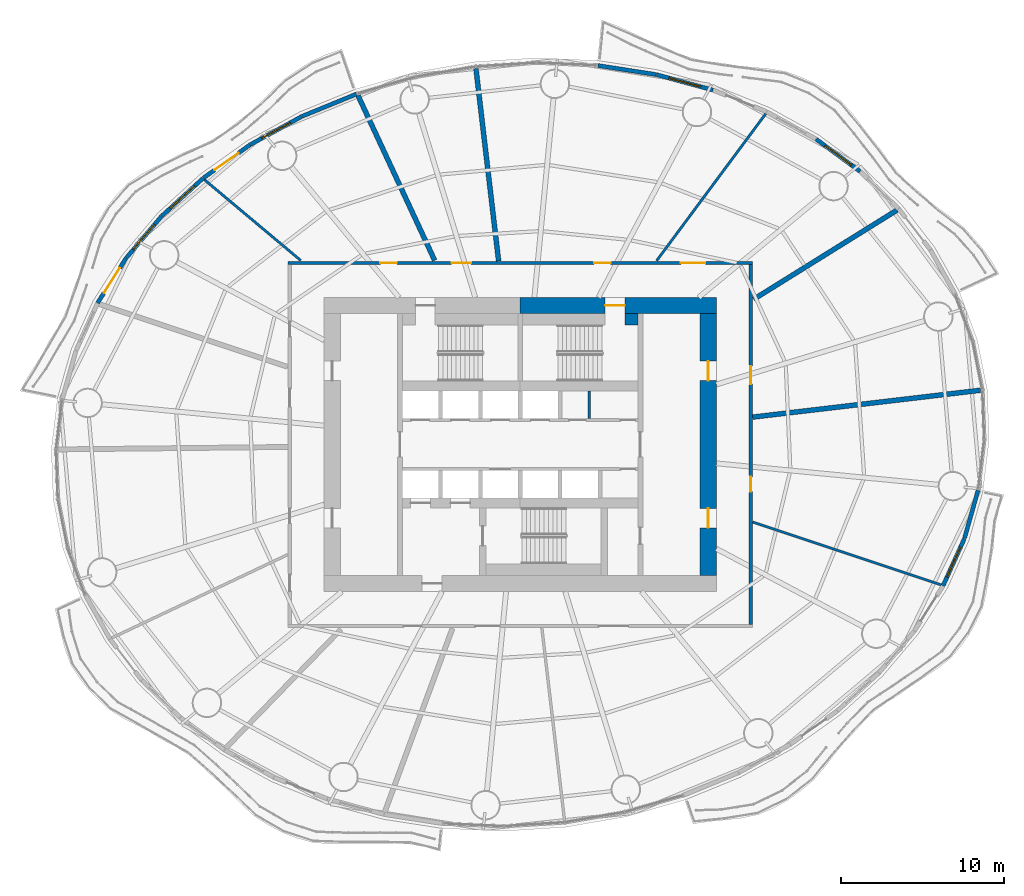
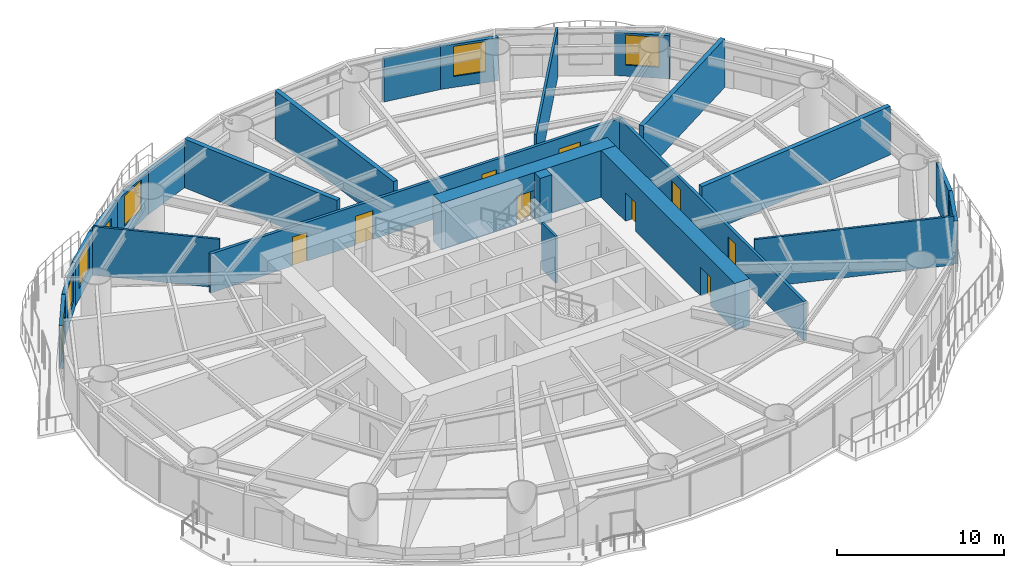
# One storey, part 10 of 16: 24 walls, 11 doors, 6 windows, 17 openings.
"""IFC4 building model written with IfcOpenShell, lengths in metres."""

from ifc_helpers import new_model, si_unit, direction, frame, frame_2d, origin, place, context, subcontext, project, spatial, rectangle, extrude, material, layer, layer_set, type_object, element, fill, save


model = new_model("IFC4")

# Units and contexts
model_context = context("Model", 3, precision=1e-05, world=origin(), true_north=direction((0.0, 1.0)))
body_context = subcontext(model_context, "Body", "Model", "MODEL_VIEW")
ifc_project = project(units=[si_unit("LENGTHUNIT", "METRE"), si_unit("AREAUNIT", "SQUARE_METRE"), si_unit("VOLUMEUNIT", "CUBIC_METRE"), si_unit("PLANEANGLEUNIT", "RADIAN"), si_unit("MASSUNIT", "GRAM", prefix="KILO")], contexts=[model_context])

# Site, building, storey
site_placement = place(None, origin())
site = spatial("IfcSite", under=ifc_project, at=site_placement, CompositionType="ELEMENT")
building_placement = place(site_placement, origin())
building = spatial("IfcBuilding", under=site, at=building_placement, Name="Vermilion Reach Broadcast Tower", CompositionType="ELEMENT")
storey_placement = place(building_placement, frame((0.0, 0.0, 61.89990234375)))
storey = spatial("IfcBuildingStorey", under=building, at=storey_placement, Name="L12", CompositionType="ELEMENT", Elevation=61.89990234375)

# Wall, opening, door
ifc_material_1 = material(Name="Concrete C70", Category="concrete")
ifc_layer_1 = layer(ifc_material_1, 1.0)
ifc_layer_set_1 = layer_set([ifc_layer_1], Name="Core outer wall 1000 mm Concrete C70")
wall_type_1 = type_object("IfcWallType", Name="Core outer wall 1000 mm Concrete C70", PredefinedType="SHEAR", material=ifc_layer_set_1)
wall_1_placement = place(storey_placement, frame((6.0, 8.5, 0.0), z_axis=(0.0, 0.0, 1.0), x_axis=(-1.0, 0.0, 0.0)))
wall_1 = element("IfcWall", 1, at=wall_1_placement, inside=storey, type_object=wall_type_1, Name="L12 core wall onE", PredefinedType="SHEAR", context=body_context, shape_type="SweptSolid", body=[
    extrude(rectangle(XDim=12.0, YDim=1.0, at=frame_2d((6.0, 0.0))), origin(), (0.0, 0.0, 1.0), 3.400146484375),
])
opening_1_placement = place(wall_1_placement, frame((5.60009765625, 0.0, 0.0)))
opening_1 = element("IfcOpeningElement", 2, at=opening_1_placement, cuts=wall_1, Name="Opening D01", PredefinedType="OPENING", context=body_context, shape_type="SweptSolid", body=[
    extrude(rectangle(XDim=1.199951171875, YDim=2.10009765625, at=frame_2d((0.60009765625, 1.050048828125))), frame((0.0, 0.510009765625, 0.0), z_axis=(0.0, -1.0, 0.0), x_axis=(1.0, 0.0, 0.0)), (0.0, 0.0, 1.0), 1.02001953125),
])
ifc_material_2 = material(Name="Painted steel fire door", Category="steel")
door_type_1 = type_object("IfcDoorType", Name="Stair door 1200 x 2100", OperationType="DOUBLE_DOOR_SINGLE_SWING", PredefinedType="NOTDEFINED", material=ifc_material_2)
door_1_placement = place(opening_1_placement, origin())
door_1 = element("IfcDoor", 3, at=door_1_placement, inside=storey, type_object=door_type_1, Name="L12 stair door ST2", OperationType="DOUBLE_DOOR_SINGLE_SWING", OverallHeight=2.10009765625, OverallWidth=1.199951171875, PredefinedType="NOTDEFINED", context=body_context, shape_type="SweptSolid", body=[
    extrude(rectangle(XDim=1.199951171875, YDim=2.10009765625, at=frame_2d((0.60009765625, 1.050048828125))), frame((0.0, 0.02490234375, 0.0), z_axis=(0.0, -1.0, 0.0), x_axis=(1.0, 0.0, 0.0)), (0.0, 0.0, 1.0), 0.050048828125),
])
fill(opening_1, door_1)

# Wall, openings, doors
wall_2_placement = place(storey_placement, frame((5.5, -8.0, 0.0), z_axis=(0.0, 0.0, 1.0), x_axis=(0.0, 1.0, 0.0)))
wall_2 = element("IfcWall", 4, at=wall_2_placement, inside=storey, type_object=wall_type_1, Name="L12 core wall oe", PredefinedType="SHEAR", context=body_context, shape_type="SweptSolid", body=[
    extrude(rectangle(XDim=16.0, YDim=1.0, at=frame_2d((8.0, 0.0))), origin(), (0.0, 0.0, 1.0), 3.400146484375),
])
opening_2_placement = place(wall_2_placement, frame((2.89990234375, 0.0, 0.0)))
opening_2 = element("IfcOpeningElement", 5, at=opening_2_placement, cuts=wall_2, Name="Opening D03", PredefinedType="OPENING", context=body_context, shape_type="SweptSolid", body=[
    extrude(rectangle(XDim=1.199951171875, YDim=2.10009765625, at=frame_2d((0.60009765625, 1.050048828125))), frame((0.0, 0.510009765625, 0.0), z_axis=(0.0, -1.0, 0.0), x_axis=(1.0, 0.0, 0.0)), (0.0, 0.0, 1.0), 1.02001953125),
])
opening_3_placement = place(wall_2_placement, frame((11.89990234375, 0.0, 0.0)))
opening_3 = element("IfcOpeningElement", 6, at=opening_3_placement, cuts=wall_2, Name="Opening D03", PredefinedType="OPENING", context=body_context, shape_type="SweptSolid", body=[
    extrude(rectangle(XDim=1.199951171875, YDim=2.10009765625, at=frame_2d((0.60009765625, 1.050048828125))), frame((0.0, 0.510009765625, 0.0), z_axis=(0.0, -1.0, 0.0), x_axis=(1.0, 0.0, 0.0)), (0.0, 0.0, 1.0), 1.02001953125),
])
ifc_material_3 = material(Name="Painted steel fire door", Category="steel")
door_type_2 = type_object("IfcDoorType", Name="Core lobby door 1200 x 2100", OperationType="DOUBLE_DOOR_SINGLE_SWING", PredefinedType="NOTDEFINED", material=ifc_material_3)
door_2_placement = place(opening_2_placement, origin())
door_2 = element("IfcDoor", 7, at=door_2_placement, inside=storey, type_object=door_type_2, Name="L12 slot door E0", OperationType="DOUBLE_DOOR_SINGLE_SWING", OverallHeight=2.10009765625, OverallWidth=1.199951171875, PredefinedType="NOTDEFINED", context=body_context, shape_type="SweptSolid", body=[
    extrude(rectangle(XDim=1.199951171875, YDim=2.10009765625, at=frame_2d((0.60009765625, 1.050048828125))), frame((0.0, 0.02490234375, 0.0), z_axis=(0.0, -1.0, 0.0), x_axis=(1.0, 0.0, 0.0)), (0.0, 0.0, 1.0), 0.050048828125),
])
fill(opening_2, door_2)
door_3_placement = place(opening_3_placement, origin())
door_3 = element("IfcDoor", 8, at=door_3_placement, inside=storey, type_object=door_type_2, Name="L12 slot door E1", OperationType="DOUBLE_DOOR_SINGLE_SWING", OverallHeight=2.10009765625, OverallWidth=1.199951171875, PredefinedType="NOTDEFINED", context=body_context, shape_type="SweptSolid", body=[
    extrude(rectangle(XDim=1.199951171875, YDim=2.10009765625, at=frame_2d((0.60009765625, 1.050048828125))), frame((0.0, 0.02490234375, 0.0), z_axis=(0.0, -1.0, 0.0), x_axis=(1.0, 0.0, 0.0)), (0.0, 0.0, 1.0), 0.050048828125),
])
fill(opening_3, door_3)

# Walls
ifc_material_4 = material(Name="Masonry block", Category="masonry")
ifc_layer_2 = layer(ifc_material_4, 0.14990234375)
ifc_layer_set_2 = layer_set([ifc_layer_2], Name="Core partition wall 150 mm Masonry block")
wall_type_2 = type_object("IfcWallType", Name="Core partition wall 150 mm Masonry block", PredefinedType="PARTITIONING", material=ifc_layer_set_2)
wall_3_placement = place(storey_placement, frame((-1.765380859375, 1.60009765625, 0.0), z_axis=(0.0, 0.0, 1.0), x_axis=(0.0, 1.0, 0.0)))
element("IfcWall", 9, at=wall_3_placement, inside=storey, type_object=wall_type_2, Name="L12 core wall prN4235", PredefinedType="PARTITIONING", context=body_context, shape_type="SweptSolid", body=[
    extrude(rectangle(XDim=1.679931640625, YDim=0.14990234375, at=frame_2d((0.83984375, 0.0))), origin(), (0.0, 0.0, 1.0), 3.400146484375),
])
ifc_material_5 = material(Name="Concrete C70", Category="concrete")
ifc_layer_3 = layer(ifc_material_5, 0.699951171875)
ifc_layer_set_3 = layer_set([ifc_layer_3], Name="Core stair wall 700 mm Concrete C70")
wall_type_3 = type_object("IfcWallType", Name="Core stair wall 700 mm Concrete C70", PredefinedType="SHEAR", material=ifc_layer_set_3)
wall_4_placement = place(storey_placement, frame((0.39990234375, 7.64990234375, 0.0), z_axis=(0.0, 0.0, 1.0), x_axis=(1.0, 0.0, 0.0)))
element("IfcWall", 10, at=wall_4_placement, inside=storey, type_object=wall_type_3, Name="L12 core wall l2b", PredefinedType="SHEAR", context=body_context, shape_type="SweptSolid", body=[
    extrude(rectangle(XDim=0.800048828125, YDim=0.699951171875, at=frame_2d((0.39990234375, 0.0))), origin(), (0.0, 0.0, 1.0), 3.400146484375),
])
ifc_material_6 = material(Name="Lightweight concrete block, plastered", Category="concrete")
ifc_layer_4 = layer(ifc_material_6, 0.14990234375)
ifc_layer_set_4 = layer_set([ifc_layer_4], Name="Partition 150 lightweight block")
wall_type_4 = type_object("IfcWallType", Name="Partition 150 lightweight block", PredefinedType="PARTITIONING", material=ifc_layer_set_4)
wall_5_placement = place(storey_placement, frame((9.0234375, 20.241943359375, 0.0), z_axis=(0.0, 0.0, 1.0), x_axis=(-0.595979742746, -0.802999468391, 0.0)))
element("IfcWall", 11, at=wall_5_placement, inside=storey, type_object=wall_type_4, Name="Partition 12.03", PredefinedType="PARTITIONING", context=body_context, shape_type="SweptSolid", body=[
    extrude(rectangle(XDim=11.20458984375, YDim=0.14990234375, at=frame_2d((5.602294921875, 0.0))), origin(), (0.0, 0.0, 1.0), 3.550048828125),
])
wall_6_placement = place(storey_placement, frame((-25.31689453125, 16.19580078125, 0.0), z_axis=(0.0, 0.0, 1.0), x_axis=(0.766312100658, -0.642468492913, 0.0)))
element("IfcWall", 12, at=wall_6_placement, inside=storey, type_object=wall_type_4, Name="Partition 12.06", PredefinedType="PARTITIONING", context=body_context, shape_type="SweptSolid", body=[
    extrude(rectangle(XDim=7.686279296875, YDim=0.14990234375, at=frame_2d((3.84326171875, 0.0))), origin(), (0.0, 0.0, 1.0), 3.550048828125),
])
wall_7_placement = place(storey_placement, frame((19.751708984375, -8.58935546875, 0.0), z_axis=(0.0, 0.0, 1.0), x_axis=(-0.948621001224, 0.316414595169, 0.0)))
element("IfcWall", 13, at=wall_7_placement, inside=storey, type_object=wall_type_4, Name="Partition 12.13", PredefinedType="PARTITIONING", context=body_context, shape_type="SweptSolid", body=[
    extrude(rectangle(XDim=12.15234375, YDim=0.14990234375, at=frame_2d((6.076171875, 0.0))), origin(), (0.0, 0.0, 1.0), 3.550048828125),
])
ifc_material_7 = material(Name="Double-leaf plasterboard on isolated steel stud", Category="steel")
ifc_layer_5 = layer(ifc_material_7, 0.300048828125)
ifc_layer_set_5 = layer_set([ifc_layer_5], Name="Partition 300 acoustic double leaf")
wall_type_5 = type_object("IfcWallType", Name="Partition 300 acoustic double leaf", PredefinedType="PARTITIONING", material=ifc_layer_set_5)
wall_8_placement = place(storey_placement, frame((22.15185546875, 3.317138671875, 0.0), z_axis=(0.0, 0.0, 1.0), x_axis=(-0.993129803106, -0.117017922486, 0.0)))
element("IfcWall", 14, at=wall_8_placement, inside=storey, type_object=wall_type_5, Name="Partition 12.01", PredefinedType="PARTITIONING", context=body_context, shape_type="SweptSolid", body=[
    extrude(rectangle(XDim=14.03076171875, YDim=0.300048828125, at=frame_2d((7.015380859375, 0.0))), origin(), (0.0, 0.0, 1.0), 3.550048828125),
])
wall_9_placement = place(storey_placement, frame((17.050048828125, 14.33935546875, 0.0), z_axis=(0.0, 0.0, 1.0), x_axis=(-0.849102541968, -0.528228050395, 0.0)))
element("IfcWall", 15, at=wall_9_placement, inside=storey, type_object=wall_type_5, Name="Partition 12.02", PredefinedType="PARTITIONING", context=body_context, shape_type="SweptSolid", body=[
    extrude(rectangle(XDim=10.329345703125, YDim=0.300048828125, at=frame_2d((5.16455078125, 0.0))), origin(), (0.0, 0.0, 1.0), 3.550048828125),
])
wall_10_placement = place(storey_placement, frame((-8.709228515625, 22.99267578125, 0.0), z_axis=(0.0, 0.0, 1.0), x_axis=(0.117019256858, -0.993129645879, 0.0)))
element("IfcWall", 16, at=wall_10_placement, inside=storey, type_object=wall_type_5, Name="Partition 12.04", PredefinedType="PARTITIONING", context=body_context, shape_type="SweptSolid", body=[
    extrude(rectangle(XDim=11.856689453125, YDim=0.300048828125, at=frame_2d((5.92822265625, 0.0))), origin(), (0.0, 0.0, 1.0), 3.550048828125),
])
wall_11_placement = place(storey_placement, frame((-15.92138671875, 21.343994140625, 0.0), z_axis=(0.0, 0.0, 1.0), x_axis=(0.421530028961, -0.906814443359, 0.0)))
element("IfcWall", 17, at=wall_11_placement, inside=storey, type_object=wall_type_5, Name="Partition 12.05", PredefinedType="PARTITIONING", context=body_context, shape_type="SweptSolid", body=[
    extrude(rectangle(XDim=11.11669921875, YDim=0.300048828125, at=frame_2d((5.558349609375, 0.0))), origin(), (0.0, 0.0, 1.0), 3.550048828125),
])

# Wall, opening, window
ifc_material_8 = material(Name="Terracotta rainscreen cladding", Category="masonry")
ifc_layer_6 = layer(ifc_material_8, 0.25)
ifc_layer_set_6 = layer_set([ifc_layer_6], Name="Terracotta rainscreen wall 250")
wall_type_6 = type_object("IfcWallType", Name="Terracotta rainscreen wall 250", PredefinedType="SOLIDWALL", material=ifc_layer_set_6)
wall_12_placement = place(storey_placement, frame((14.786376953125, 16.703125, 0.0), z_axis=(0.0, 0.0, 1.0), x_axis=(-0.80553067299, 0.592554077594, 0.0)))
wall_12 = element("IfcWall", 18, at=wall_12_placement, inside=storey, type_object=wall_type_6, Name="External wall L12 05", PredefinedType="SOLIDWALL", context=body_context, shape_type="SweptSolid", body=[
    extrude(rectangle(XDim=3.332275390625, YDim=0.25, at=frame_2d((1.666015625, 0.0))), origin(), (0.0, 0.0, 1.0), 3.150146484375),
])
opening_4_placement = place(wall_12_placement, frame((0.666015625, 0.0, 0.800048828125)))
opening_4 = element("IfcOpeningElement", 19, at=opening_4_placement, cuts=wall_12, Name="Opening W01", PredefinedType="OPENING", context=body_context, shape_type="SweptSolid", body=[
    extrude(rectangle(XDim=2.0, YDim=2.199951171875, at=frame_2d((1.0, 1.10009765625))), frame((0.0, 0.135009765625, 0.0), z_axis=(0.0, -1.0, 0.0), x_axis=(1.0, 0.0, 0.0)), (0.0, 0.0, 1.0), 0.27001953125),
])
ifc_material_9 = material(Name="Low-e laminated clear glass in aluminium frame", Category="aluminium")
window_type = type_object("IfcWindowType", Name="Punched window 2000 x 2200 sill 800", PartitioningType="SINGLE_PANEL", PredefinedType="WINDOW", material=ifc_material_9)
window_1_placement = place(opening_4_placement, origin())
window_1 = element("IfcWindow", 20, at=window_1_placement, inside=storey, type_object=window_type, Name="Window L12 05", OverallHeight=2.199951171875, OverallWidth=2.0, PartitioningType="SINGLE_PANEL", PredefinedType="WINDOW", context=body_context, shape_type="SweptSolid", body=[
    extrude(rectangle(XDim=2.0, YDim=2.199951171875, at=frame_2d((1.0, 1.10009765625))), frame((0.0, 0.030029296875, 0.0), z_axis=(0.0, -1.0, 0.0), x_axis=(1.0, 0.0, 0.0)), (0.0, 0.0, 1.0), 0.06005859375),
])
fill(opening_4, window_1)

wall_13_placement = place(storey_placement, frame((5.791259765625, 21.679931640625, 0.0), z_axis=(0.0, 0.0, 1.0), x_axis=(-0.964644250164, 0.263555441274, 0.0)))
wall_13 = element("IfcWall", 21, at=wall_13_placement, inside=storey, type_object=wall_type_6, Name="External wall L12 08", PredefinedType="SOLIDWALL", context=body_context, shape_type="SweptSolid", body=[
    extrude(rectangle(XDim=3.583984375, YDim=0.25, at=frame_2d((1.7919921875, 0.0))), origin(), (0.0, 0.0, 1.0), 3.150146484375),
])
opening_5_placement = place(wall_13_placement, frame((0.7919921875, 0.0, 0.800048828125)))
opening_5 = element("IfcOpeningElement", 22, at=opening_5_placement, cuts=wall_13, Name="Opening W01", PredefinedType="OPENING", context=body_context, shape_type="SweptSolid", body=[
    extrude(rectangle(XDim=2.0, YDim=2.199951171875, at=frame_2d((1.0, 1.10009765625))), frame((0.0, 0.135009765625, 0.0), z_axis=(0.0, -1.0, 0.0), x_axis=(1.0, 0.0, 0.0)), (0.0, 0.0, 1.0), 0.27001953125),
])
window_2_placement = place(opening_5_placement, origin())
window_2 = element("IfcWindow", 23, at=window_2_placement, inside=storey, type_object=window_type, Name="Window L12 08", OverallHeight=2.199951171875, OverallWidth=2.0, PartitioningType="SINGLE_PANEL", PredefinedType="WINDOW", context=body_context, shape_type="SweptSolid", body=[
    extrude(rectangle(XDim=2.0, YDim=2.199951171875, at=frame_2d((1.0, 1.10009765625))), frame((0.0, 0.030029296875, 0.0), z_axis=(0.0, -1.0, 0.0), x_axis=(1.0, 0.0, 0.0)), (0.0, 0.0, 1.0), 0.06005859375),
])
fill(opening_5, window_2)

# Walls
for number, where, z_axis, x_axis, name in (
    (24, (2.3125, 22.629150390625, 0.0), (0.0, 0.0, 1.0), (-0.98816220641, 0.153412691208, 0.0), "External wall L12 09"),
    (25, (-16.01318359375, 21.44140625, 0.0), (0.0, 0.0, 1.0), (-0.925429153504, -0.378920680149, 0.0), "External wall L12 14"),
):
    element("IfcWall", number, at=place(storey_placement, frame(where, z_axis=z_axis, x_axis=x_axis)), inside=storey, type_object=wall_type_6, Name=name, PredefinedType="SOLIDWALL", context=body_context, shape_type="SweptSolid", body=[
        extrude(rectangle(XDim=3.599853515625, YDim=0.25, at=frame_2d((1.7998046875, 0.0))), origin(), (0.0, 0.0, 1.0), 3.150146484375),
    ])

# Wall, opening, window
wall_14_placement = place(storey_placement, frame((-19.364501953125, 20.06787109375, 0.0), z_axis=(0.0, 0.0, 1.0), x_axis=(-0.876938377575, -0.480602831802, 0.0)))
wall_14 = element("IfcWall", 26, at=wall_14_placement, inside=storey, type_object=wall_type_6, Name="External wall L12 15", PredefinedType="SOLIDWALL", context=body_context, shape_type="SweptSolid", body=[
    extrude(rectangle(XDim=3.583740234375, YDim=0.25, at=frame_2d((1.7919921875, 0.0))), origin(), (0.0, 0.0, 1.0), 3.150146484375),
])
opening_6_placement = place(wall_14_placement, frame((0.7919921875, 0.0, 0.800048828125)))
opening_6 = element("IfcOpeningElement", 27, at=opening_6_placement, cuts=wall_14, Name="Opening W01", PredefinedType="OPENING", context=body_context, shape_type="SweptSolid", body=[
    extrude(rectangle(XDim=2.0, YDim=2.199951171875, at=frame_2d((1.0, 1.10009765625))), frame((0.0, 0.135009765625, 0.0), z_axis=(0.0, -1.0, 0.0), x_axis=(1.0, 0.0, 0.0)), (0.0, 0.0, 1.0), 0.27001953125),
])
window_3_placement = place(opening_6_placement, origin())
window_3 = element("IfcWindow", 28, at=window_3_placement, inside=storey, type_object=window_type, Name="Window L12 15", OverallHeight=2.199951171875, OverallWidth=2.0, PartitioningType="SINGLE_PANEL", PredefinedType="WINDOW", context=body_context, shape_type="SweptSolid", body=[
    extrude(rectangle(XDim=2.0, YDim=2.199951171875, at=frame_2d((1.0, 1.10009765625))), frame((0.0, 0.030029296875, 0.0), z_axis=(0.0, -1.0, 0.0), x_axis=(1.0, 0.0, 0.0)), (0.0, 0.0, 1.0), 0.06005859375),
])
fill(opening_6, window_3)

# Wall, opening, door
wall_15_placement = place(storey_placement, frame((-22.5263671875, 18.33349609375, 0.0), z_axis=(0.0, 0.0, 1.0), x_axis=(-0.814907125468, -0.579591560378, 0.0)))
wall_15 = element("IfcWall", 29, at=wall_15_placement, inside=storey, type_object=wall_type_6, Name="External wall L12 16", PredefinedType="SOLIDWALL", context=body_context, shape_type="SweptSolid", body=[
    extrude(rectangle(XDim=3.5087890625, YDim=0.25, at=frame_2d((1.75439453125, 0.0))), origin(), (0.0, 0.0, 1.0), 3.150146484375),
])
opening_7_placement = place(wall_15_placement, frame((0.85400390625, 0.0, 0.0)))
opening_7 = element("IfcOpeningElement", 30, at=opening_7_placement, cuts=wall_15, Name="Opening D70", PredefinedType="OPENING", context=body_context, shape_type="SweptSolid", body=[
    extrude(rectangle(XDim=1.800048828125, YDim=2.39990234375, at=frame_2d((0.89990234375, 1.199951171875))), frame((0.0, 0.135009765625, 0.0), z_axis=(0.0, -1.0, 0.0), x_axis=(1.0, 0.0, 0.0)), (0.0, 0.0, 1.0), 0.27001953125),
])
ifc_material_10 = material(Name="Low-e laminated clear glass in aluminium frame", Category="aluminium")
door_type_3 = type_object("IfcDoorType", Name="Balcony sliding door 1800 x 2400", OperationType="DOUBLE_DOOR_SLIDING", PredefinedType="DOOR", material=ifc_material_10)
door_4_placement = place(opening_7_placement, origin())
door_4 = element("IfcDoor", 31, at=door_4_placement, inside=storey, type_object=door_type_3, Name="Balcony door L12 run 04", OperationType="DOUBLE_DOOR_SLIDING", OverallHeight=2.39990234375, OverallWidth=1.800048828125, PredefinedType="DOOR", context=body_context, shape_type="SweptSolid", body=[
    extrude(rectangle(XDim=1.800048828125, YDim=2.39990234375, at=frame_2d((0.89990234375, 1.199951171875))), frame((0.0, 0.02490234375, 0.0), z_axis=(0.0, -1.0, 0.0), x_axis=(1.0, 0.0, 0.0)), (0.0, 0.0, 1.0), 0.050048828125),
])
fill(opening_7, door_4)

# Wall, opening, window
wall_16_placement = place(storey_placement, frame((-25.40380859375, 16.28515625, 0.0), z_axis=(0.0, 0.0, 1.0), x_axis=(-0.738233763611, -0.67454496534, 0.0)))
wall_16 = element("IfcWall", 32, at=wall_16_placement, inside=storey, type_object=wall_type_6, Name="External wall L12 17", PredefinedType="SOLIDWALL", context=body_context, shape_type="SweptSolid", body=[
    extrude(rectangle(XDim=3.423095703125, YDim=0.25, at=frame_2d((1.71142578125, 0.0))), origin(), (0.0, 0.0, 1.0), 3.150146484375),
])
opening_8_placement = place(wall_16_placement, frame((0.711669921875, 0.0, 0.800048828125)))
opening_8 = element("IfcOpeningElement", 33, at=opening_8_placement, cuts=wall_16, Name="Opening W01", PredefinedType="OPENING", context=body_context, shape_type="SweptSolid", body=[
    extrude(rectangle(XDim=2.0, YDim=2.199951171875, at=frame_2d((1.0, 1.10009765625))), frame((0.0, 0.135009765625, 0.0), z_axis=(0.0, -1.0, 0.0), x_axis=(1.0, 0.0, 0.0)), (0.0, 0.0, 1.0), 0.27001953125),
])
window_4_placement = place(opening_8_placement, origin())
window_4 = element("IfcWindow", 34, at=window_4_placement, inside=storey, type_object=window_type, Name="Window L12 17", OverallHeight=2.199951171875, OverallWidth=2.0, PartitioningType="SINGLE_PANEL", PredefinedType="WINDOW", context=body_context, shape_type="SweptSolid", body=[
    extrude(rectangle(XDim=2.0, YDim=2.199951171875, at=frame_2d((1.0, 1.10009765625))), frame((0.0, 0.030029296875, 0.0), z_axis=(0.0, -1.0, 0.0), x_axis=(1.0, 0.0, 0.0)), (0.0, 0.0, 1.0), 0.06005859375),
])
fill(opening_8, window_4)

wall_17_placement = place(storey_placement, frame((-27.947509765625, 13.958740234375, 0.0), z_axis=(0.0, 0.0, 1.0), x_axis=(-0.645781290873, -0.763522445222, 0.0)))
wall_17 = element("IfcWall", 35, at=wall_17_placement, inside=storey, type_object=wall_type_6, Name="External wall L12 18", PredefinedType="SOLIDWALL", context=body_context, shape_type="SweptSolid", body=[
    extrude(rectangle(XDim=3.332275390625, YDim=0.25, at=frame_2d((1.666015625, 0.0))), origin(), (0.0, 0.0, 1.0), 3.150146484375),
])
opening_9_placement = place(wall_17_placement, frame((0.666015625, 0.0, 0.800048828125)))
opening_9 = element("IfcOpeningElement", 36, at=opening_9_placement, cuts=wall_17, Name="Opening W01", PredefinedType="OPENING", context=body_context, shape_type="SweptSolid", body=[
    extrude(rectangle(XDim=2.0, YDim=2.199951171875, at=frame_2d((1.0, 1.10009765625))), frame((0.0, 0.135009765625, 0.0), z_axis=(0.0, -1.0, 0.0), x_axis=(1.0, 0.0, 0.0)), (0.0, 0.0, 1.0), 0.27001953125),
])
window_5_placement = place(opening_9_placement, origin())
window_5 = element("IfcWindow", 37, at=window_5_placement, inside=storey, type_object=window_type, Name="Window L12 18", OverallHeight=2.199951171875, OverallWidth=2.0, PartitioningType="SINGLE_PANEL", PredefinedType="WINDOW", context=body_context, shape_type="SweptSolid", body=[
    extrude(rectangle(XDim=2.0, YDim=2.199951171875, at=frame_2d((1.0, 1.10009765625))), frame((0.0, 0.030029296875, 0.0), z_axis=(0.0, -1.0, 0.0), x_axis=(1.0, 0.0, 0.0)), (0.0, 0.0, 1.0), 0.06005859375),
])
fill(opening_9, window_5)

# Wall, opening, door
wall_18_placement = place(storey_placement, frame((-30.114013671875, 11.39453125, 0.0), z_axis=(0.0, 0.0, 1.0), x_axis=(-0.536899857644, -0.843645981951, 0.0)))
wall_18 = element("IfcWall", 38, at=wall_18_placement, inside=storey, type_object=wall_type_6, Name="External wall L12 19", PredefinedType="SOLIDWALL", context=body_context, shape_type="SweptSolid", body=[
    extrude(rectangle(XDim=3.24169921875, YDim=0.25, at=frame_2d((1.620849609375, 0.0))), origin(), (0.0, 0.0, 1.0), 3.150146484375),
])
opening_10_placement = place(wall_18_placement, frame((0.720947265625, 0.0, 0.0)))
opening_10 = element("IfcOpeningElement", 39, at=opening_10_placement, cuts=wall_18, Name="Opening D70", PredefinedType="OPENING", context=body_context, shape_type="SweptSolid", body=[
    extrude(rectangle(XDim=1.800048828125, YDim=2.39990234375, at=frame_2d((0.89990234375, 1.199951171875))), frame((0.0, 0.135009765625, 0.0), z_axis=(0.0, -1.0, 0.0), x_axis=(1.0, 0.0, 0.0)), (0.0, 0.0, 1.0), 0.27001953125),
])
door_5_placement = place(opening_10_placement, origin())
door_5 = element("IfcDoor", 40, at=door_5_placement, inside=storey, type_object=door_type_3, Name="Balcony door L12 run 05", OperationType="DOUBLE_DOOR_SLIDING", OverallHeight=2.39990234375, OverallWidth=1.800048828125, PredefinedType="DOOR", context=body_context, shape_type="SweptSolid", body=[
    extrude(rectangle(XDim=1.800048828125, YDim=2.39990234375, at=frame_2d((0.89990234375, 1.199951171875))), frame((0.0, 0.02490234375, 0.0), z_axis=(0.0, -1.0, 0.0), x_axis=(1.0, 0.0, 0.0)), (0.0, 0.0, 1.0), 0.050048828125),
])
fill(opening_10, door_5)

# Wall, opening, window
wall_19_placement = place(storey_placement, frame((19.866943359375, -8.636962890625, 0.0), z_axis=(0.0, 0.0, 1.0), x_axis=(0.411804193901, 0.911272355493, 0.0)))
wall_19 = element("IfcWall", 41, at=wall_19_placement, inside=storey, type_object=wall_type_6, Name="External wall L12 44", PredefinedType="SOLIDWALL", context=body_context, shape_type="SweptSolid", body=[
    extrude(rectangle(XDim=3.158203125, YDim=0.25, at=frame_2d((1.5791015625, 0.0))), origin(), (0.0, 0.0, 1.0), 3.150146484375),
])
opening_11_placement = place(wall_19_placement, frame((0.5791015625, 0.0, 0.800048828125)))
opening_11 = element("IfcOpeningElement", 42, at=opening_11_placement, cuts=wall_19, Name="Opening W01", PredefinedType="OPENING", context=body_context, shape_type="SweptSolid", body=[
    extrude(rectangle(XDim=2.0, YDim=2.199951171875, at=frame_2d((1.0, 1.10009765625))), frame((0.0, 0.135009765625, 0.0), z_axis=(0.0, -1.0, 0.0), x_axis=(1.0, 0.0, 0.0)), (0.0, 0.0, 1.0), 0.27001953125),
])
window_6_placement = place(opening_11_placement, origin())
window_6 = element("IfcWindow", 43, at=window_6_placement, inside=storey, type_object=window_type, Name="Window L12 44", OverallHeight=2.199951171875, OverallWidth=2.0, PartitioningType="SINGLE_PANEL", PredefinedType="WINDOW", context=body_context, shape_type="SweptSolid", body=[
    extrude(rectangle(XDim=2.0, YDim=2.199951171875, at=frame_2d((1.0, 1.10009765625))), frame((0.0, 0.030029296875, 0.0), z_axis=(0.0, -1.0, 0.0), x_axis=(1.0, 0.0, 0.0)), (0.0, 0.0, 1.0), 0.06005859375),
])
fill(opening_11, window_6)

# Wall
wall_20_placement = place(storey_placement, frame((21.1767578125, -5.734130859375, 0.0), z_axis=(0.0, 0.0, 1.0), x_axis=(0.27192635973, 0.962318063264, 0.0)))
element("IfcWall", 44, at=wall_20_placement, inside=storey, type_object=wall_type_6, Name="External wall L12 45", PredefinedType="SOLIDWALL", context=body_context, shape_type="SweptSolid", body=[
    extrude(rectangle(XDim=3.047119140625, YDim=0.25, at=frame_2d((1.5234375, 0.0))), origin(), (0.0, 0.0, 1.0), 3.150146484375),
])

# Wall, openings, doors
ifc_material_11 = material(Name="Fire-rated gypsum board partition")
ifc_layer_7 = layer(ifc_material_11, 0.199951171875)
ifc_layer_set_7 = layer_set([ifc_layer_7], Name="Under girder: Corridor wall 200 fire-rated")
wall_type_7 = type_object("IfcWallType", Name="Under girder: Corridor wall 200 fire-rated", PredefinedType="PARTITIONING", material=ifc_layer_set_7)
wall_21_placement = place(storey_placement, frame((-20.199951171875, 11.10009765625, 0.0), z_axis=(0.0, 0.0, 1.0), x_axis=(1.0, 0.0, 0.0)))
wall_21 = element("IfcWall", 45, at=wall_21_placement, inside=storey, type_object=wall_type_7, Name="Corridor wall 12.N", PredefinedType="PARTITIONING", context=body_context, shape_type="SweptSolid", body=[
    extrude(rectangle(XDim=28.39990234375, YDim=0.199951171875, at=frame_2d((14.199951171875, 0.0))), origin(), (0.0, 0.0, 1.0), 2.85009765625),
])
opening_12_placement = place(wall_21_placement, frame((24.02880859375, 0.0, 0.0)))
opening_12 = element("IfcOpeningElement", 46, at=opening_12_placement, cuts=wall_21, Name="Opening D24", PredefinedType="OPENING", context=body_context, shape_type="SweptSolid", body=[
    extrude(rectangle(XDim=1.5, YDim=2.10009765625, at=frame_2d((0.75, 1.050048828125))), frame((0.0, 0.10986328125, 0.0), z_axis=(0.0, -1.0, 0.0), x_axis=(1.0, 0.0, 0.0)), (0.0, 0.0, 1.0), 0.219970703125),
])
opening_13_placement = place(wall_21_placement, frame((18.722900390625, 0.0, 0.0)))
opening_13 = element("IfcOpeningElement", 47, at=opening_13_placement, cuts=wall_21, Name="Opening D20", PredefinedType="OPENING", context=body_context, shape_type="SweptSolid", body=[
    extrude(rectangle(XDim=1.0, YDim=2.10009765625, at=frame_2d((0.5, 1.050048828125))), frame((0.0, 0.10986328125, 0.0), z_axis=(0.0, -1.0, 0.0), x_axis=(1.0, 0.0, 0.0)), (0.0, 0.0, 1.0), 0.219970703125),
])
opening_14_placement = place(wall_21_placement, frame((9.999755859375, 0.0, 0.0)))
opening_14 = element("IfcOpeningElement", 48, at=opening_14_placement, cuts=wall_21, Name="Opening D26", PredefinedType="OPENING", context=body_context, shape_type="SweptSolid", body=[
    extrude(rectangle(XDim=1.199951171875, YDim=2.10009765625, at=frame_2d((0.60009765625, 1.050048828125))), frame((0.0, 0.10986328125, 0.0), z_axis=(0.0, -1.0, 0.0), x_axis=(1.0, 0.0, 0.0)), (0.0, 0.0, 1.0), 0.219970703125),
])
opening_15_placement = place(wall_21_placement, frame((5.648193359375, 0.0, 0.0)))
opening_15 = element("IfcOpeningElement", 49, at=opening_15_placement, cuts=wall_21, Name="Opening D20", PredefinedType="OPENING", context=body_context, shape_type="SweptSolid", body=[
    extrude(rectangle(XDim=1.0, YDim=2.10009765625, at=frame_2d((0.5, 1.050048828125))), frame((0.0, 0.10986328125, 0.0), z_axis=(0.0, -1.0, 0.0), x_axis=(1.0, 0.0, 0.0)), (0.0, 0.0, 1.0), 0.219970703125),
])
ifc_material_12 = material(Name="Timber door leaf", Category="wood")
door_type_4 = type_object("IfcDoorType", Name="Door pair 1500x2100", OperationType="NOTDEFINED", PredefinedType="DOOR", material=ifc_material_12)
door_6_placement = place(opening_12_placement, origin())
door_6 = element("IfcDoor", 50, at=door_6_placement, inside=storey, type_object=door_type_4, Name="Door 12.02", OperationType="DOUBLE_DOOR_SINGLE_SWING", OverallHeight=2.10009765625, OverallWidth=1.5, PredefinedType="DOOR", context=body_context, shape_type="SweptSolid", body=[
    extrude(rectangle(XDim=1.5, YDim=2.10009765625, at=frame_2d((0.75, 1.050048828125))), frame((0.0, 0.02490234375, 0.0), z_axis=(0.0, -1.0, 0.0), x_axis=(1.0, 0.0, 0.0)), (0.0, 0.0, 1.0), 0.050048828125),
])
fill(opening_12, door_6)
ifc_material_13 = material(Name="Timber door leaf", Category="wood")
door_type_5 = type_object("IfcDoorType", Name="Door single 1000x2100", OperationType="NOTDEFINED", PredefinedType="DOOR", material=ifc_material_13)
door_7_placement = place(opening_13_placement, origin())
door_7 = element("IfcDoor", 51, at=door_7_placement, inside=storey, type_object=door_type_5, Name="Door 12.03", OperationType="SINGLE_SWING_RIGHT", OverallHeight=2.10009765625, OverallWidth=1.0, PredefinedType="DOOR", context=body_context, shape_type="SweptSolid", body=[
    extrude(rectangle(XDim=1.0, YDim=2.10009765625, at=frame_2d((0.5, 1.050048828125))), frame((0.0, 0.02490234375, 0.0), z_axis=(0.0, -1.0, 0.0), x_axis=(1.0, 0.0, 0.0)), (0.0, 0.0, 1.0), 0.050048828125),
])
fill(opening_13, door_7)
door_8_placement = place(opening_15_placement, origin())
door_8 = element("IfcDoor", 52, at=door_8_placement, inside=storey, type_object=door_type_5, Name="Door 12.05", OperationType="SINGLE_SWING_RIGHT", OverallHeight=2.10009765625, OverallWidth=1.0, PredefinedType="DOOR", context=body_context, shape_type="SweptSolid", body=[
    extrude(rectangle(XDim=1.0, YDim=2.10009765625, at=frame_2d((0.5, 1.050048828125))), frame((0.0, 0.02490234375, 0.0), z_axis=(0.0, -1.0, 0.0), x_axis=(1.0, 0.0, 0.0)), (0.0, 0.0, 1.0), 0.050048828125),
])
fill(opening_15, door_8)
ifc_material_14 = material(Name="Acoustic timber door leaf", Category="wood")
door_type_6 = type_object("IfcDoorType", Name="Door single 1200x2100", OperationType="NOTDEFINED", PredefinedType="DOOR", material=ifc_material_14)
door_9_placement = place(opening_14_placement, origin())
door_9 = element("IfcDoor", 53, at=door_9_placement, inside=storey, type_object=door_type_6, Name="Door 12.04", OperationType="SINGLE_SWING_LEFT", OverallHeight=2.10009765625, OverallWidth=1.199951171875, PredefinedType="DOOR", context=body_context, shape_type="SweptSolid", body=[
    extrude(rectangle(XDim=1.199951171875, YDim=2.10009765625, at=frame_2d((0.60009765625, 1.050048828125))), frame((0.0, 0.02490234375, 0.0), z_axis=(0.0, -1.0, 0.0), x_axis=(1.0, 0.0, 0.0)), (0.0, 0.0, 1.0), 0.050048828125),
])
fill(opening_14, door_9)

wall_22_placement = place(storey_placement, frame((8.10009765625, 11.0, 0.0), z_axis=(0.0, 0.0, 1.0), x_axis=(0.0, -1.0, 0.0)))
wall_22 = element("IfcWall", 54, at=wall_22_placement, inside=storey, type_object=wall_type_7, Name="Corridor wall 12.E", PredefinedType="PARTITIONING", context=body_context, shape_type="SweptSolid", body=[
    extrude(rectangle(XDim=22.0, YDim=0.199951171875, at=frame_2d((11.0, 0.0))), origin(), (0.0, 0.0, 1.0), 2.85009765625),
])
opening_16_placement = place(wall_22_placement, frame((6.208740234375, 0.0, 0.0)))
opening_16 = element("IfcOpeningElement", 55, at=opening_16_placement, cuts=wall_22, Name="Opening D28", PredefinedType="OPENING", context=body_context, shape_type="SweptSolid", body=[
    extrude(rectangle(XDim=1.10009765625, YDim=2.10009765625, at=frame_2d((0.550048828125, 1.050048828125))), frame((0.0, 0.10986328125, 0.0), z_axis=(0.0, -1.0, 0.0), x_axis=(1.0, 0.0, 0.0)), (0.0, 0.0, 1.0), 0.219970703125),
])
opening_17_placement = place(wall_22_placement, frame((12.9833984375, 0.0, 0.0)))
opening_17 = element("IfcOpeningElement", 56, at=opening_17_placement, cuts=wall_22, Name="Opening D22", PredefinedType="OPENING", context=body_context, shape_type="SweptSolid", body=[
    extrude(rectangle(XDim=0.89990234375, YDim=2.10009765625, at=frame_2d((0.449951171875, 1.050048828125))), frame((0.0, 0.10986328125, 0.0), z_axis=(0.0, -1.0, 0.0), x_axis=(1.0, 0.0, 0.0)), (0.0, 0.0, 1.0), 0.219970703125),
])
ifc_material_15 = material(Name="Acoustic sound-lock door leaf")
door_type_7 = type_object("IfcDoorType", Name="Door single 1100x2100", OperationType="NOTDEFINED", PredefinedType="DOOR", material=ifc_material_15)
door_10_placement = place(opening_16_placement, origin())
door_10 = element("IfcDoor", 57, at=door_10_placement, inside=storey, type_object=door_type_7, Name="Door 12.01", OperationType="SINGLE_SWING_RIGHT", OverallHeight=2.10009765625, OverallWidth=1.10009765625, PredefinedType="DOOR", context=body_context, shape_type="SweptSolid", body=[
    extrude(rectangle(XDim=1.10009765625, YDim=2.10009765625, at=frame_2d((0.550048828125, 1.050048828125))), frame((0.0, 0.02490234375, 0.0), z_axis=(0.0, -1.0, 0.0), x_axis=(1.0, 0.0, 0.0)), (0.0, 0.0, 1.0), 0.050048828125),
])
fill(opening_16, door_10)
ifc_material_16 = material(Name="Timber door leaf", Category="wood")
door_type_8 = type_object("IfcDoorType", Name="Door single 900x2100", OperationType="NOTDEFINED", PredefinedType="DOOR", material=ifc_material_16)
door_11_placement = place(opening_17_placement, origin())
door_11 = element("IfcDoor", 58, at=door_11_placement, inside=storey, type_object=door_type_8, Name="Door 12.13", OperationType="SINGLE_SWING_RIGHT", OverallHeight=2.10009765625, OverallWidth=0.89990234375, PredefinedType="DOOR", context=body_context, shape_type="SweptSolid", body=[
    extrude(rectangle(XDim=0.89990234375, YDim=2.10009765625, at=frame_2d((0.449951171875, 1.050048828125))), frame((0.0, 0.02490234375, 0.0), z_axis=(0.0, -1.0, 0.0), x_axis=(1.0, 0.0, 0.0)), (0.0, 0.0, 1.0), 0.050048828125),
])
fill(opening_17, door_11)

save(model, "model.ifc")
